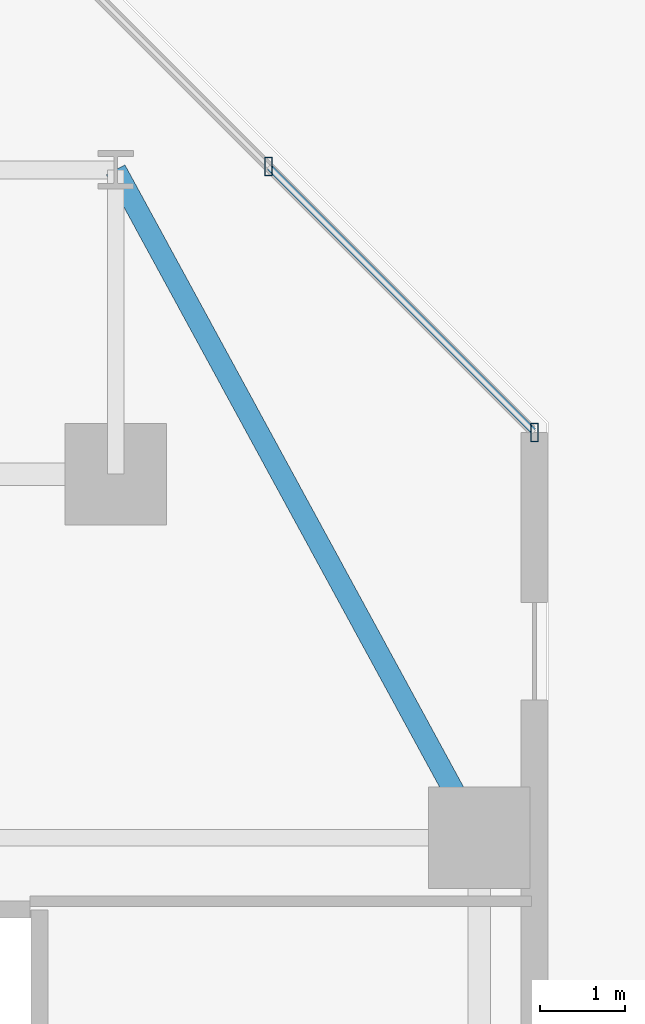
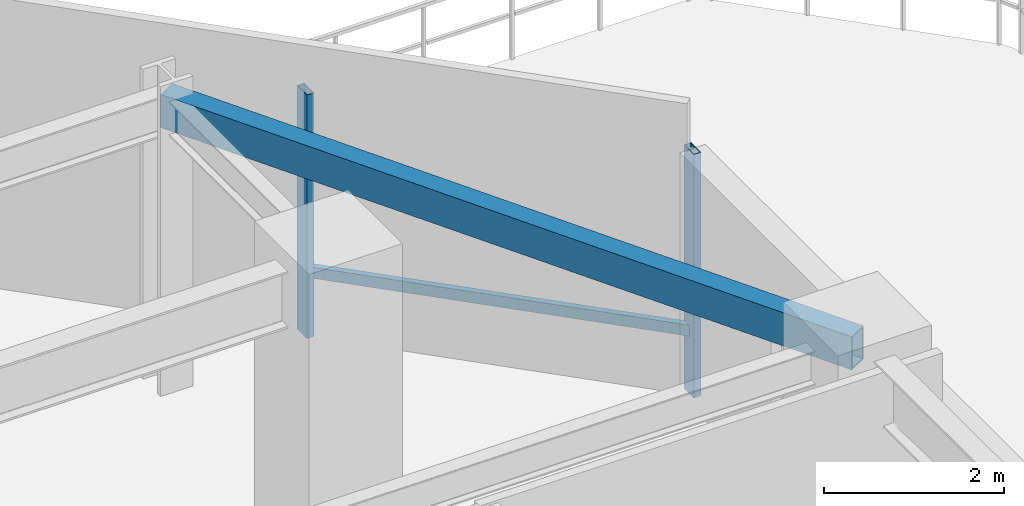
# One storey, part 14 of 30: 3 members, 1 beam, 1 element without a shape of its own.
"""IFC4 building model written with IfcOpenShell, lengths in metres."""

from ifc_helpers import new_model, si_unit, direction, frame, origin, origin_2d, place, context, subcontext, project, spatial, hollow_rectangle, extrude, material, material_profile, profile_set, type_object, element, aggregate, save


model = new_model("IFC4")

# Units and contexts
model_context = context("Model", 3, precision=1e-05, world=origin(), true_north=direction((0.0, 1.0)))
body_context = subcontext(model_context, "Body", "Model", "MODEL_VIEW")
ifc_project = project(units=[si_unit("LENGTHUNIT", "METRE"), si_unit("AREAUNIT", "SQUARE_METRE"), si_unit("VOLUMEUNIT", "CUBIC_METRE"), si_unit("PLANEANGLEUNIT", "RADIAN"), si_unit("MASSUNIT", "GRAM", prefix="KILO")], contexts=[model_context])

# Site, building, storey
site_placement = place(None, origin())
site = spatial("IfcSite", under=ifc_project, at=site_placement, CompositionType="ELEMENT")
building_placement = place(site_placement, origin())
building = spatial("IfcBuilding", under=site, at=building_placement, Name="Thornwick Lancets Civic Towers", CompositionType="ELEMENT")
storey_placement = place(building_placement, frame((0.0, 0.0, 75.89990234375)))
storey = spatial("IfcBuildingStorey", under=building, at=storey_placement, Name="L19", CompositionType="ELEMENT", Elevation=75.89990234375)

# Beam
ifc_material_1 = material(Name="Steel S355JR", Category="steel")
ifc_material_profile_1 = material_profile(ifc_material_1, hollow_rectangle(XDim=0.25, YDim=0.449951171875, WallThickness=0.01611328125, at=origin_2d()), Name="RHS 450x250x16")
ifc_profile_set_1 = profile_set([ifc_material_profile_1], Name="Steel S355JR")
beam_type = type_object("IfcBeamType", Name="BM_RING_RHS450", PredefinedType="BEAM", material=ifc_profile_set_1)
beam_placement = place(storey_placement, frame((105.800048828125, 40.0, 3.735107421875), z_axis=(-0.478081722712, 0.878315357038, 0.0), x_axis=(-0.878315357038, -0.478081722712, 0.0)))
element("IfcBeam", 1, at=beam_placement, inside=storey, type_object=beam_type, Name="BM-CHAMF-L19-B-C0", PredefinedType="BEAM", context=body_context, shape_type="SweptSolid", body=[
    extrude(hollow_rectangle(XDim=0.25, YDim=0.449951171875, WallThickness=0.01611328125, at=origin_2d()), origin(), (0.0, 0.0, 1.0), 8.994384765625),
])

# Curtain wall, members
ifc_material_2 = material(Name="Low-zone chamfered-corner unitised glass curtain wall", Category="glass")
curtain_wall_type = type_object("IfcCurtainWallType", Name="CW_SYS_03", PredefinedType="NOTDEFINED", material=ifc_material_2)
curtain_wall_placement = place(storey_placement, origin())
curtain_wall = element("IfcCurtainWall", 2, at=curtain_wall_placement, inside=storey, type_object=curtain_wall_type, Name="L19 Curtain Wall CW-L19-B-E3", PredefinedType="NOTDEFINED")
ifc_material_3 = material(Name="Thermally broken bronze aluminium S355", Category="steel")
ifc_material_profile_2 = material_profile(ifc_material_3, hollow_rectangle(XDim=0.090087890625, YDim=0.219970703125, WallThickness=0.00634765625, at=origin_2d()), Name="RHS 220x90x6.3")
ifc_profile_set_2 = profile_set([ifc_material_profile_2], Name="Thermally broken bronze aluminium S355")
member_type_1 = type_object("IfcMemberType", Name="CW_MUL_220", PredefinedType="MULLION", material=ifc_profile_set_2)
member_1_placement = place(storey_placement, frame((106.452880859375, 44.796142578125, 0.0), z_axis=(0.0, 0.0, 1.0), x_axis=(1.0, 0.0, 0.0)))
member_1 = element("IfcMember", 3, at=member_1_placement, type_object=member_type_1, Name="CW-L19-B-E3 Mullion 0", PredefinedType="MULLION", context=body_context, shape_type="SweptSolid", body=[
    extrude(hollow_rectangle(XDim=0.090087890625, YDim=0.219970703125, WallThickness=0.00634765625, at=origin_2d()), origin(), (0.0, 0.0, 1.0), 3.300048828125),
])
member_2_placement = place(storey_placement, frame((103.30859375, 47.940673828125, 0.0), z_axis=(0.0, 0.0, 1.0), x_axis=(1.0, 0.0, 0.0)))
member_2 = element("IfcMember", 4, at=member_2_placement, type_object=member_type_1, Name="CW-L19-B-E3 Mullion 1", PredefinedType="MULLION", context=body_context, shape_type="SweptSolid", body=[
    extrude(hollow_rectangle(XDim=0.090087890625, YDim=0.219970703125, WallThickness=0.00634765625, at=origin_2d()), origin(), (0.0, 0.0, 1.0), 3.300048828125),
])
ifc_material_profile_3 = material_profile(ifc_material_3, hollow_rectangle(XDim=0.074951171875, YDim=0.14990234375, WallThickness=0.0048828125, at=origin_2d()), Name="RHS 150x75x5")
ifc_profile_set_3 = profile_set([ifc_material_profile_3], Name="Thermally broken bronze aluminium S355")
member_type_2 = type_object("IfcMemberType", Name="CW_TRN_150", PredefinedType="USERDEFINED", material=ifc_profile_set_3)
member_3_placement = place(storey_placement, frame((106.43896484375, 44.810302734375, 0.85009765625), z_axis=(-0.707134478822, 0.707079082466, 0.0), x_axis=(-0.707079082466, -0.707134478822, 0.0)))
member_3 = element("IfcMember", 5, at=member_3_placement, type_object=member_type_2, Name="CW-L19-B-E3 Transom 0", ObjectType="TRANSOM", PredefinedType="USERDEFINED", context=body_context, shape_type="SweptSolid", body=[
    extrude(hollow_rectangle(XDim=0.074951171875, YDim=0.14990234375, WallThickness=0.0048828125, at=origin_2d()), origin(), (0.0, 0.0, 1.0), 4.4072265625),
])
aggregate(curtain_wall, [member_1, member_2, member_3])

save(model, "model.ifc")
